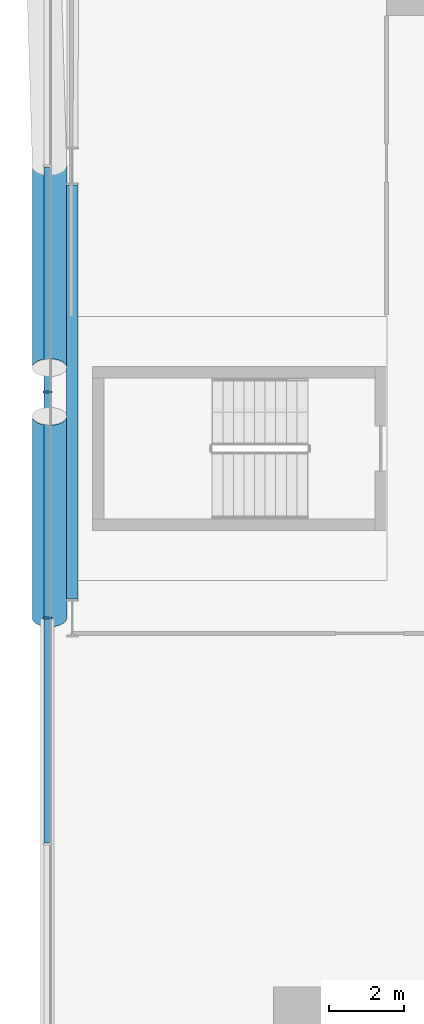
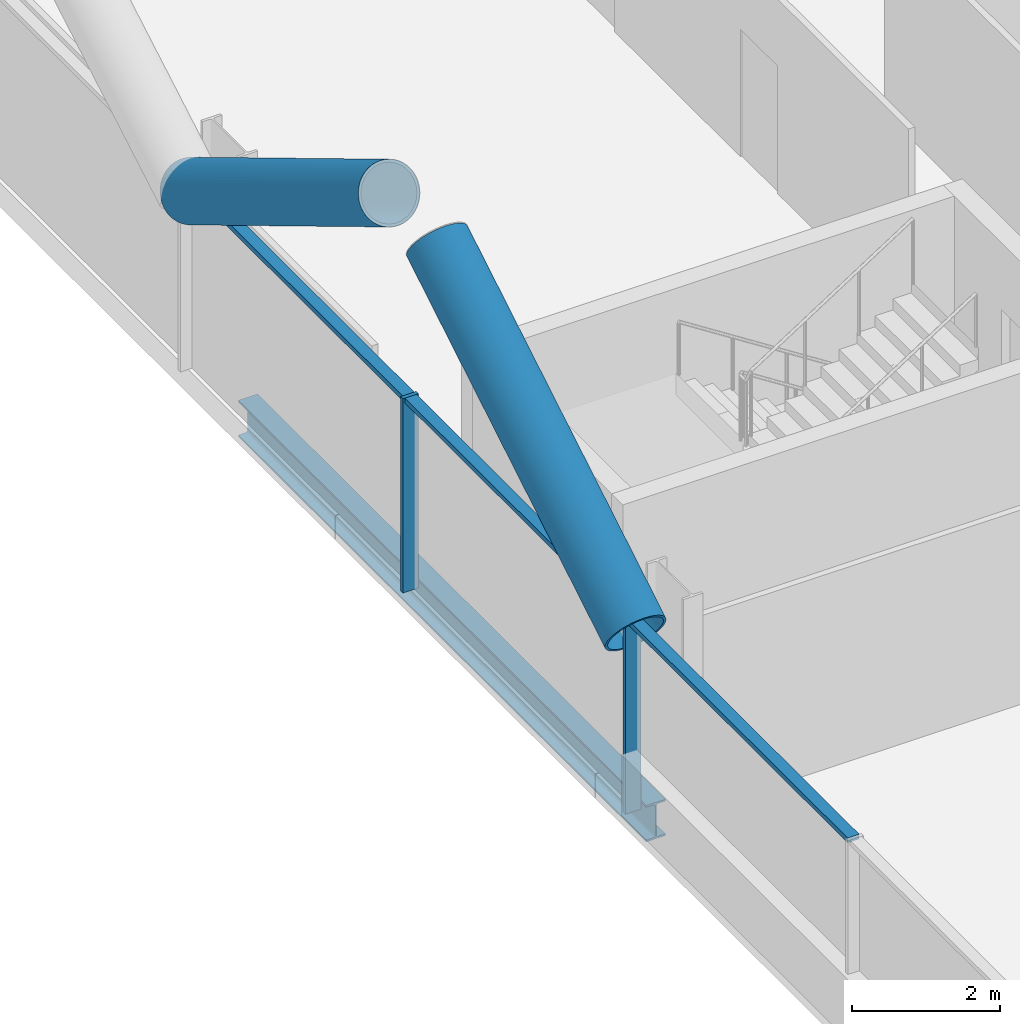
# One storey, part 5 of 28: 7 members, 1 beam, 1 element without a shape of its own.
"""IFC4 building model written with IfcOpenShell, lengths in metres."""

from ifc_helpers import new_model, si_unit, direction, frame, origin, origin_2d, place, context, subcontext, project, spatial, rectangle, hollow_circle, i_section, extrude, material, material_profile, profile_set, type_object, element, aggregate, save


model = new_model("IFC4")

# Units and contexts
model_context = context("Model", 3, precision=1e-05, world=origin(), true_north=direction((0.0, 1.0)))
body_context = subcontext(model_context, "Body", "Model", "MODEL_VIEW")
ifc_project = project(units=[si_unit("LENGTHUNIT", "METRE"), si_unit("AREAUNIT", "SQUARE_METRE"), si_unit("VOLUMEUNIT", "CUBIC_METRE"), si_unit("PLANEANGLEUNIT", "RADIAN"), si_unit("MASSUNIT", "GRAM", prefix="KILO")], contexts=[model_context])

# Site, building, storey
site_placement = place(None, origin())
site = spatial("IfcSite", under=ifc_project, at=site_placement, CompositionType="ELEMENT")
building_placement = place(site_placement, origin())
building = spatial("IfcBuilding", under=site, at=building_placement, Name="Wharfspan Tower", CompositionType="ELEMENT")
storey_placement = place(building_placement, frame((0.0, 0.0, 52.300049)))
storey = spatial("IfcBuildingStorey", under=building, at=storey_placement, Name="L09", CompositionType="ELEMENT", Elevation=52.300049)

# Beam
ifc_material_1 = material(Name="Steel S355J2", Category="steel")
ifc_material_profile_1 = material_profile(ifc_material_1, i_section(OverallWidth=0.300049, OverallDepth=0.600098, WebThickness=0.015381, FlangeThickness=0.030029, FilletRadius=0.0271, at=origin_2d()))
ifc_profile_set_1 = profile_set([ifc_material_profile_1], Name="Steel S355J2")
beam_type = type_object("IfcBeamType", Name="Edge beam HEB 600", PredefinedType="SPANDREL", material=ifc_profile_set_1)
beam_placement = place(storey_placement, frame((0.659912, 29.5, -0.699951), z_axis=(0.0, -1.0, 0.0), x_axis=(1.0, 0.0, 0.0)))
element("IfcBeam", 1, at=beam_placement, inside=storey, type_object=beam_type, Name="Edge beam W L09 PW.1 to PW.2", PredefinedType="SPANDREL", context=body_context, shape_type="SweptSolid", body=[
    extrude(i_section(OverallWidth=0.300049, OverallDepth=0.600098, WebThickness=0.015381, FlangeThickness=0.030029, FilletRadius=0.0271, at=origin_2d()), origin(), (0.0, 0.0, 1.0), 11.0),
])

# Curtain wall, members
ifc_material_2 = material(Name="Aluminium 6063-T6", Category="aluminium")
curtain_wall_type = type_object("IfcCurtainWallType", Name="CURTAIN WALL PROW AND END", PredefinedType="NOTDEFINED", material=ifc_material_2)
curtain_wall_placement = place(storey_placement, origin())
curtain_wall = element("IfcCurtainWall", 2, at=curtain_wall_placement, inside=storey, type_object=curtain_wall_type, Name="Curtain wall W", PredefinedType="NOTDEFINED")
ifc_material_profile_2 = material_profile(ifc_material_2, rectangle(XDim=0.23999, YDim=0.060059, at=origin_2d()))
ifc_profile_set_2 = profile_set([ifc_material_profile_2], Name="Aluminium 6063-T6")
member_type_1 = type_object("IfcMemberType", Name="MULLION PROW AND END 60x240", PredefinedType="MULLION", material=ifc_profile_set_2)
member_1_placement = place(storey_placement, frame((0.0, 24.0, 0.0), z_axis=(0.0, 0.0, 1.0), x_axis=(1.0, 0.0, 0.0)))
member_1 = element("IfcMember", 3, at=member_1_placement, type_object=member_type_1, Name="Curtain wall W mullion 4", PredefinedType="MULLION", context=body_context, shape_type="SweptSolid", body=[
    extrude(rectangle(XDim=0.23999, YDim=0.060059, at=origin_2d()), origin(), (0.0, 0.0, 1.0), 3.199951),
])
member_2_placement = place(storey_placement, frame((0.0, 18.0, 0.0), z_axis=(0.0, 0.0, 1.0), x_axis=(1.0, 0.0, 0.0)))
member_2 = element("IfcMember", 4, at=member_2_placement, type_object=member_type_1, Name="Curtain wall W mullion 5", PredefinedType="MULLION", context=body_context, shape_type="SweptSolid", body=[
    extrude(rectangle(XDim=0.23999, YDim=0.060059, at=origin_2d()), origin(), (0.0, 0.0, 1.0), 3.199951),
])

# Members
ifc_material_3 = material(Name="Steel S460NH", Category="steel")
ifc_material_profile_3 = material_profile(ifc_material_3, hollow_circle(Radius=0.457031, WallThickness=0.040039, at=origin_2d()))
ifc_profile_set_3 = profile_set([ifc_material_profile_3], Name="Steel S460NH")
member_type_2 = type_object("IfcMemberType", Name="Mega brace CHS 914x40", PredefinedType="BRACE", material=ifc_profile_set_3)
for number, where, z_axis, x_axis, name in (
    (5, (0.054932, 30.0, 2.899902), (0.0, -0.857483, 0.514513), (1.0, 0.0, 0.0), "Mega brace W3 L10 part 1"),
    (6, (0.054932, 18.0, 2.899902), (0.0, 0.857483, 0.514513), (-1.0, 0.0, 0.0), "Mega brace W3 L10 part 3"),
):
    element("IfcMember", number, at=place(storey_placement, frame(where, z_axis=z_axis, x_axis=x_axis)), inside=storey, type_object=member_type_2, Name=name, PredefinedType="BRACE", context=body_context, shape_type="SweptSolid", body=[
        extrude(hollow_circle(Radius=0.457031, WallThickness=0.040039, at=origin_2d()), origin(), (0.0, 0.0, 1.0), 6.239258),
    ])

# Member
ifc_material_profile_4 = material_profile(ifc_material_2, rectangle(XDim=0.179932, YDim=0.080078, at=origin_2d()))
ifc_profile_set_4 = profile_set([ifc_material_profile_4], Name="Aluminium 6063-T6")
member_type_3 = type_object("IfcMemberType", Name="TRANSOM PROW AND END 80x180", PredefinedType="USERDEFINED", material=ifc_profile_set_4)
member_3_placement = place(storey_placement, frame((0.0, 29.969971, 3.159912), z_axis=(0.0, -1.0, 0.0), x_axis=(1.0, 0.0, 0.0)))
member_3 = element("IfcMember", 7, at=member_3_placement, type_object=member_type_3, Name="Curtain wall W transom 3", ObjectType="TRANSOM", PredefinedType="USERDEFINED", context=body_context, shape_type="SweptSolid", body=[
    extrude(rectangle(XDim=0.179932, YDim=0.080078, at=origin_2d()), origin(), (0.0, 0.0, 1.0), 5.939941),
])

member_4_placement = place(storey_placement, frame((0.0, 23.969971, 3.159912), z_axis=(0.0, -1.0, 0.0), x_axis=(1.0, 0.0, 0.0)))
member_4 = element("IfcMember", 8, at=member_4_placement, type_object=member_type_3, Name="Curtain wall W transom 4", ObjectType="TRANSOM", PredefinedType="USERDEFINED", context=body_context, shape_type="SweptSolid", body=[
    extrude(rectangle(XDim=0.179932, YDim=0.080078, at=origin_2d()), origin(), (0.0, 0.0, 1.0), 5.939941),
])

member_5_placement = place(storey_placement, frame((0.0, 17.969971, 3.159912), z_axis=(0.0, -1.0, 0.0), x_axis=(1.0, 0.0, 0.0)))
member_5 = element("IfcMember", 9, at=member_5_placement, type_object=member_type_3, Name="Curtain wall W transom 5", ObjectType="TRANSOM", PredefinedType="USERDEFINED", context=body_context, shape_type="SweptSolid", body=[
    extrude(rectangle(XDim=0.179932, YDim=0.080078, at=origin_2d()), origin(), (0.0, 0.0, 1.0), 5.939941),
])

aggregate(curtain_wall, [member_1, member_2, member_3, member_4, member_5])

save(model, "model.ifc")
